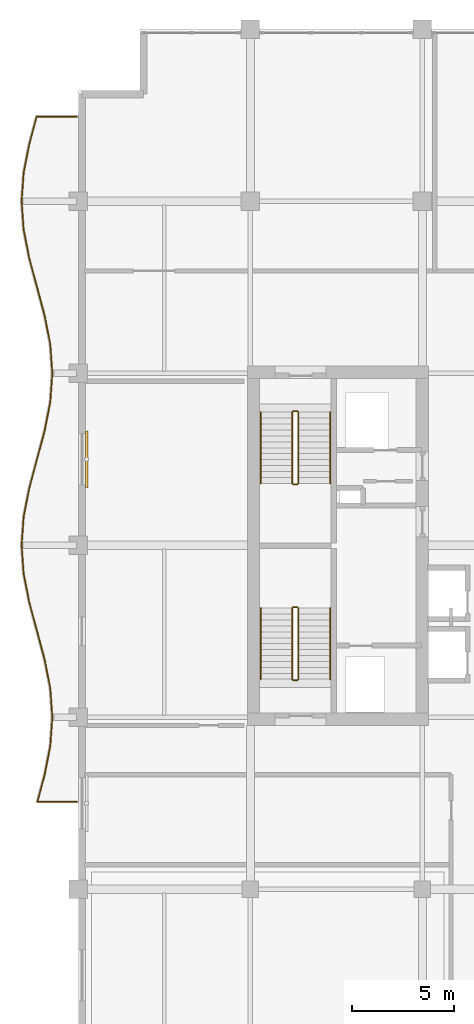
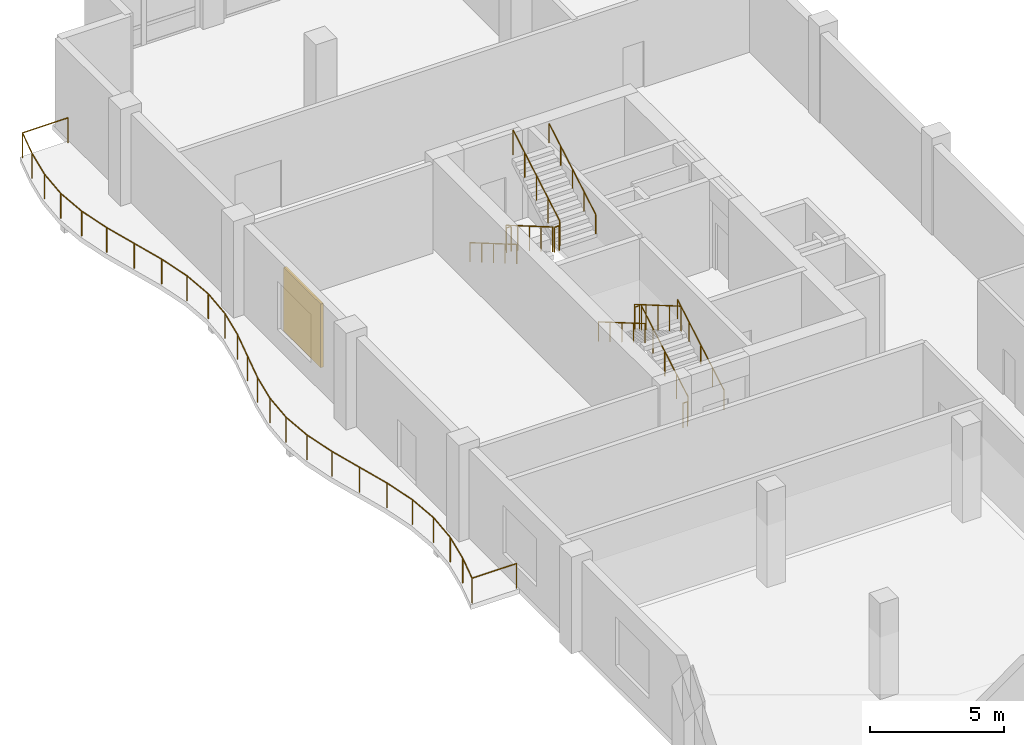
# One storey, part 15 of 15: 13 railings, 1 shading device.
"""IFC4 building model written with IfcOpenShell, lengths in metres."""

import ifcopenshell
import ifcopenshell.guid

model = None  # the IFC model being written
_history = None  # IfcOwnerHistory: only IFC2X3 demands one
_inside = {}  # id of a spatial element -> (the spatial element, [elements in it])
_under = {}  # id of a project, library or spatial element -> (it, [spatial elements below it])
_declared = {}  # id of a project -> (the project, [libraries it declares])
_typed = {}  # id of a type object -> (the type object, [elements of that type])
_made_of = {}  # id of a material, layer set ... -> (it, [elements and type objects made of it])


def new_model(schema):
    """Start an empty IFC model of exactly this schema.

    Asked for "IFC4X3", IfcOpenShell would pick the latest addendum, in which some entities
    have other attributes; the version numbers below select the first issue.
    IFC2X3 requires an IfcOwnerHistory on every rooted entity: one is made here for all.
    """
    global model, _history
    if schema == "IFC4X3":
        model = ifcopenshell.file(schema_version=(4, 3, 0, 0))
    else:
        model = ifcopenshell.file(schema=schema)
    _inside.clear()
    _under.clear()
    _declared.clear()
    _typed.clear()
    _made_of.clear()
    _history = None
    if model.schema == "IFC2X3":
        org = make("IfcOrganization", Name="unknown")
        user = make(
            "IfcPersonAndOrganization",
            ThePerson=make("IfcPerson", FamilyName="unknown"),
            TheOrganization=org,
        )
        app = make(
            "IfcApplication",
            ApplicationDeveloper=org,
            Version="unknown",
            ApplicationFullName="unknown",
            ApplicationIdentifier="unknown",
        )
        _history = make(
            "IfcOwnerHistory",
            OwningUser=user,
            OwningApplication=app,
            ChangeAction="ADDED",
            CreationDate=0,
        )
    return model


def make(cls, **values):
    """One entity of the class cls with the attributes given. An attribute that is None is left unset."""
    return model.create_entity(
        cls, **{name: value for name, value in values.items() if value is not None}
    )


def rooted(cls, **values):
    """An entity with a GlobalId (a new one), such as an element, a storey or a relation."""
    return make(cls, GlobalId=ifcopenshell.guid.new(), OwnerHistory=_history, **values)


def si_unit(unit_type, name, prefix=None):
    """IfcSIUnit, for example si_unit("LENGTHUNIT", "METRE", prefix="MILLI")."""
    return make("IfcSIUnit", UnitType=unit_type, Prefix=prefix, Name=name)


def assignment(units):
    """IfcUnitAssignment: the units of a project."""
    return None if units is None else make("IfcUnitAssignment", Units=units)


def point(xyz):
    """IfcCartesianPoint."""
    return None if xyz is None else make("IfcCartesianPoint", Coordinates=xyz)


def direction(xyz):
    """IfcDirection."""
    return None if xyz is None else make("IfcDirection", DirectionRatios=xyz)


def frame(location, z_axis=None, x_axis=None):
    """IfcAxis2Placement3D, a coordinate frame: its origin and axes. An axis left out is left unset."""
    return make(
        "IfcAxis2Placement3D",
        Location=point(location),
        Axis=direction(z_axis),
        RefDirection=direction(x_axis),
    )


def frame_2d(location, x_axis=None):
    """IfcAxis2Placement2D, a coordinate frame in the plane: its origin and x axis."""
    return make(
        "IfcAxis2Placement2D", Location=point(location), RefDirection=direction(x_axis)
    )


def origin():
    """The frame at (0, 0, 0) with its axes left unset."""
    return frame((0.0, 0.0, 0.0))


def origin_2d():
    """The frame at (0, 0) in the plane with its x axis left unset."""
    return frame_2d((0.0, 0.0))


def place(relative_to, where):
    """IfcLocalPlacement: puts the frame where relative to a parent placement (None: the world)."""
    return make(
        "IfcLocalPlacement", PlacementRelTo=relative_to, RelativePlacement=where
    )


def context(
    kind, dimensions, precision=None, world=None, true_north=None, identifier=None
):
    """IfcGeometricRepresentationContext, for example the 3D "Model" context."""
    return make(
        "IfcGeometricRepresentationContext",
        ContextIdentifier=identifier,
        ContextType=kind,
        CoordinateSpaceDimension=dimensions,
        Precision=precision,
        WorldCoordinateSystem=world,
        TrueNorth=true_north,
    )


def subcontext(parent, identifier, kind, view, scale=None):
    """IfcGeometricRepresentationSubContext, for example "Body" below "Model"."""
    return make(
        "IfcGeometricRepresentationSubContext",
        ContextIdentifier=identifier,
        ContextType=kind,
        ParentContext=parent,
        TargetScale=scale,
        TargetView=view,
    )


def project(units=None, contexts=None):
    """IfcProject with its units and contexts."""
    return rooted(
        "IfcProject",
        Name="project",
        RepresentationContexts=contexts,
        UnitsInContext=assignment(units),
    )


def spatial(cls, under=None, at=None, **own):
    """A site, building, storey or space (cls), placed at a placement, below another one or the project."""
    s = rooted(cls, ObjectPlacement=at, **own)
    if under is not None:
        _under.setdefault(under.id(), (under, []))[1].append(s)
    return s


def profile(cls, at=None, kind="AREA", **sizes):
    """A parametric profile (cls). Its sizes go by their IFC names, for example OverallWidth=200.0."""
    return make(cls, ProfileType=kind, Position=at, **sizes)


def rectangle(**sizes):
    """IfcRectangleProfileDef."""
    return profile("IfcRectangleProfileDef", **sizes)


def circle(**sizes):
    """IfcCircleProfileDef."""
    return profile("IfcCircleProfileDef", **sizes)


def extrude(swept, where, along, depth):
    """IfcExtrudedAreaSolid: the profile swept, set in the frame where, extruded along a direction by depth."""
    return make(
        "IfcExtrudedAreaSolid",
        SweptArea=swept,
        Position=where,
        ExtrudedDirection=direction(along),
        Depth=depth,
    )


def shape(context_of_items, identifier, shape_type, items):
    """IfcShapeRepresentation: the items that make up one representation, for example the "Body"."""
    return make(
        "IfcShapeRepresentation",
        ContextOfItems=context_of_items,
        RepresentationIdentifier=identifier,
        RepresentationType=shape_type,
        Items=items,
    )


def material(Name=None, Category=None):
    """IfcMaterial."""
    return make("IfcMaterial", Name=Name, Category=Category)


def layer(
    of_material, thickness, ventilated=None, Name=None, Category=None, Priority=None
):
    """IfcMaterialLayer: one layer of a wall or slab, of a material (None: an air gap)."""
    return make(
        "IfcMaterialLayer",
        Material=of_material,
        LayerThickness=thickness,
        IsVentilated=ventilated,
        Name=Name,
        Category=Category,
        Priority=Priority,
    )


def layer_set(layers, Name=None):
    """IfcMaterialLayerSet."""
    return make("IfcMaterialLayerSet", MaterialLayers=layers, LayerSetName=Name)


def made_of(thing, what):
    """Note that an element or type object is made of a material, layer set ...; save() writes the relation."""
    if what is not None:
        _made_of.setdefault(what.id(), (what, []))[1].append(thing)
    return thing


def type_object(cls, material=None, **own):
    """A type object (cls), such as IfcWallType, which elements share."""
    return made_of(rooted(cls, **own), material)


def element(
    cls,
    number,
    at=None,
    inside=None,
    cuts=None,
    type_object=None,
    material=None,
    context=None,
    identifier="Body",
    shape_type=None,
    held_by="IfcProductDefinitionShape",
    body=None,
    shapes=None,
    **own,
):
    """One element of the class cls, such as IfcWall. Its Tag is "e" and its number.

    at: its placement. inside: the storey or other place that contains it. cuts: it is an
    opening in that element (IfcRelVoidsElement). A single representation is given by context,
    identifier, shape_type and body (its items); several are given by shapes. held_by: the class
    of the entity that holds the representations. save() writes the other relations.
    """
    e = rooted(cls, Tag="e%d" % number, ObjectPlacement=at, **own)
    if body is not None:
        shapes = [shape(context, identifier, shape_type, body)]
    if shapes is not None:
        e.Representation = make(held_by, Representations=shapes)
    if inside is not None:
        _inside.setdefault(inside.id(), (inside, []))[1].append(e)
    if cuts is not None:
        rooted(
            "IfcRelVoidsElement", RelatingBuildingElement=cuts, RelatedOpeningElement=e
        )
    if type_object is not None:
        _typed.setdefault(type_object.id(), (type_object, []))[1].append(e)
    return made_of(e, material)


def aggregate(whole, parts):
    """IfcRelAggregates: a whole, such as a stair, and the parts it consists of."""
    return rooted("IfcRelAggregates", RelatingObject=whole, RelatedObjects=parts)


def save(model, path):
    """Write the relations noted so far, then the file.

    IfcRelAggregates (storeys below a building ...), IfcRelContainedInSpatialStructure (elements
    in a storey), IfcRelDefinesByType, IfcRelAssociatesMaterial and IfcRelDeclares: one each for
    every whole, place, type object, material and project.
    """
    for whole, parts in _under.values():
        aggregate(whole, parts)
    for where, things in _inside.values():
        rooted(
            "IfcRelContainedInSpatialStructure",
            RelatedElements=things,
            RelatingStructure=where,
        )
    for kind, things in _typed.values():
        rooted("IfcRelDefinesByType", RelatedObjects=things, RelatingType=kind)
    for what, things in _made_of.values():
        rooted("IfcRelAssociatesMaterial", RelatedObjects=things, RelatingMaterial=what)
    for by, libraries in _declared.values():
        rooted("IfcRelDeclares", RelatingContext=by, RelatedDefinitions=libraries)
    model.write(path)


model = new_model("IFC4")

# Units and contexts
model_context = context("Model", 3, precision=1e-05, world=origin(), true_north=direction((0.0, 1.0)))
body_context = subcontext(model_context, "Body", "Model", "MODEL_VIEW")
ifc_project = project(units=[si_unit("LENGTHUNIT", "METRE"), si_unit("AREAUNIT", "SQUARE_METRE"), si_unit("VOLUMEUNIT", "CUBIC_METRE"), si_unit("PLANEANGLEUNIT", "RADIAN"), si_unit("MASSUNIT", "GRAM", prefix="KILO")], contexts=[model_context])

# Site, building, storey
site_placement = place(None, origin())
site = spatial("IfcSite", under=ifc_project, at=site_placement, CompositionType="ELEMENT")
building_placement = place(site_placement, origin())
building = spatial("IfcBuilding", under=site, at=building_placement, Name="Koriwani Terraces Tower", CompositionType="ELEMENT")
storey_placement = place(building_placement, frame((0.0, 0.0, 290.39990234375)))
storey = spatial("IfcBuildingStorey", under=building, at=storey_placement, Name="L72", CompositionType="ELEMENT", Elevation=290.39990234375)

# Railings
ifc_material_1 = material(Name="Steel ASTM A572 Grade 50", Category="steel")
railing_type_1 = type_object("IfcRailingType", Name="GUARD_BALUSTRADE_1150", PredefinedType="BALUSTRADE", material=ifc_material_1)
railing_1_placement = place(storey_placement, frame((8.320068359375, 37.8798828125, 0.0)))
element("IfcRailing", 1, at=railing_1_placement, inside=storey, type_object=railing_type_1, Name="L72 Balcony Perimeter Safety Balustrade (W)", PredefinedType="BALUSTRADE", context=body_context, shape_type="SweptSolid", body=[
    extrude(circle(Radius=0.02392578125, at=origin_2d()), frame((0.0, 0.0, 1.1259765625), z_axis=(-1.0, 0.0, 0.0), x_axis=(0.0, -1.0, 0.0)), (0.0, 0.0, 1.0), 1.915771484375),
    extrude(circle(Radius=0.02392578125, at=origin_2d()), frame((-1.915771484375, 0.0, 1.1259765625), z_axis=(0.258654599752, 0.965969874285, 0.0), x_axis=(-0.965969874285, 0.258654599752, 0.0)), (0.0, 0.0, 1.0), 1.347900390625),
    extrude(circle(Radius=0.02392578125, at=origin_2d()), frame((-1.567138671875, 1.302001953125, 1.1259765625), z_axis=(0.192186246762, 0.981358469957, 0.0), x_axis=(-0.981358469957, 0.192186246762, 0.0)), (0.0, 0.0, 1.0), 1.434326171875),
    extrude(circle(Radius=0.02392578125, at=origin_2d()), frame((-1.29150390625, 2.70947265625, 1.1259765625), z_axis=(0.071639614309, 0.997430581876, 0.0), x_axis=(-0.997430581876, 0.071639614309, 0.0)), (0.0, 0.0, 1.0), 1.414306640625),
    extrude(circle(Radius=0.02392578125, at=origin_2d()), frame((-1.190185546875, 4.1201171875, 1.1259765625), z_axis=(-0.071639614309, 0.997430581876, 0.0), x_axis=(-0.997430581876, -0.071639614309, 0.0)), (0.0, 0.0, 1.0), 1.414306640625),
    extrude(circle(Radius=0.02392578125, at=origin_2d()), frame((-1.29150390625, 5.53076171875, 1.1259765625), z_axis=(-0.192186246762, 0.981358469957, 0.0), x_axis=(-0.981358469957, -0.192186246762, 0.0)), (0.0, 0.0, 1.0), 1.434326171875),
    extrude(circle(Radius=0.02392578125, at=origin_2d()), frame((-1.567138671875, 6.938232421875, 1.1259765625), z_axis=(-0.258731875344, 0.96594917914, 0.0), x_axis=(-0.96594917914, -0.258731875344, 0.0)), (0.0, 0.0, 1.0), 2.898681640625),
    extrude(circle(Radius=0.02392578125, at=origin_2d()), frame((-2.317138671875, 9.73828125, 1.1259765625), z_axis=(-0.19237547223, 0.981321393675, 0.0), x_axis=(-0.981321393675, -0.19237547223, 0.0)), (0.0, 0.0, 1.0), 1.4189453125),
    extrude(circle(Radius=0.02392578125, at=origin_2d()), frame((-2.590087890625, 11.130615234375, 1.1259765625), z_axis=(-0.07168297904, 0.997427466293, 0.0), x_axis=(-0.997427466293, -0.07168297904, 0.0)), (0.0, 0.0, 1.0), 1.39306640625),
    extrude(circle(Radius=0.02392578125, at=origin_2d()), frame((-2.68994140625, 12.52001953125, 1.1259765625), z_axis=(0.07168297904, 0.997427466293, 0.0), x_axis=(-0.997427466293, 0.07168297904, 0.0)), (0.0, 0.0, 1.0), 1.39306640625),
    extrude(circle(Radius=0.02392578125, at=origin_2d()), frame((-2.590087890625, 13.909423828125, 1.1259765625), z_axis=(0.192342993657, 0.981327760125, 0.0), x_axis=(-0.981327760125, 0.192342993657, 0.0)), (0.0, 0.0, 1.0), 1.419189453125),
    extrude(circle(Radius=0.02392578125, at=origin_2d()), frame((-2.317138671875, 15.302001953125, 1.1259765625), z_axis=(0.258731875344, 0.96594917914, 0.0), x_axis=(-0.96594917914, 0.258731875344, 0.0)), (0.0, 0.0, 1.0), 2.898681640625),
    extrude(circle(Radius=0.02392578125, at=origin_2d()), frame((-1.567138671875, 18.10205078125, 1.1259765625), z_axis=(0.192186246762, 0.981358469957, 0.0), x_axis=(-0.981358469957, 0.192186246762, 0.0)), (0.0, 0.0, 1.0), 1.434326171875),
    extrude(circle(Radius=0.02392578125, at=origin_2d()), frame((-1.29150390625, 19.509521484375, 1.1259765625), z_axis=(0.071639614309, 0.997430581876, 0.0), x_axis=(-0.997430581876, 0.071639614309, 0.0)), (0.0, 0.0, 1.0), 1.414306640625),
    extrude(circle(Radius=0.02392578125, at=origin_2d()), frame((-1.190185546875, 20.920166015625, 1.1259765625), z_axis=(-0.071639614309, 0.997430581876, 0.0), x_axis=(-0.997430581876, -0.071639614309, 0.0)), (0.0, 0.0, 1.0), 1.414306640625),
    extrude(circle(Radius=0.02392578125, at=origin_2d()), frame((-1.29150390625, 22.330810546875, 1.1259765625), z_axis=(-0.192218357442, 0.981352180954, 0.0), x_axis=(-0.981352180954, -0.192218357442, 0.0)), (0.0, 0.0, 1.0), 1.43408203125),
    extrude(circle(Radius=0.02392578125, at=origin_2d()), frame((-1.567138671875, 23.738037109375, 1.1259765625), z_axis=(-0.258710827923, 0.965954816498, 0.0), x_axis=(-0.965954816498, -0.258710827923, 0.0)), (0.0, 0.0, 1.0), 2.89892578125),
    extrude(circle(Radius=0.02392578125, at=origin_2d()), frame((-2.317138671875, 26.538330078125, 1.1259765625), z_axis=(-0.19237547223, 0.981321393675, 0.0), x_axis=(-0.981321393675, -0.19237547223, 0.0)), (0.0, 0.0, 1.0), 1.4189453125),
    extrude(circle(Radius=0.02392578125, at=origin_2d()), frame((-2.590087890625, 27.9306640625, 1.1259765625), z_axis=(-0.07168297904, 0.997427466293, 0.0), x_axis=(-0.997427466293, -0.07168297904, 0.0)), (0.0, 0.0, 1.0), 1.39306640625),
    extrude(circle(Radius=0.02392578125, at=origin_2d()), frame((-2.68994140625, 29.320068359375, 1.1259765625), z_axis=(0.07168297904, 0.997427466293, 0.0), x_axis=(-0.997427466293, 0.07168297904, 0.0)), (0.0, 0.0, 1.0), 1.39306640625),
    extrude(circle(Radius=0.02392578125, at=origin_2d()), frame((-2.590087890625, 30.70947265625, 1.1259765625), z_axis=(0.192342993657, 0.981327760125, 0.0), x_axis=(-0.981327760125, 0.192342993657, 0.0)), (0.0, 0.0, 1.0), 1.419189453125),
    extrude(circle(Radius=0.02392578125, at=origin_2d()), frame((-2.317138671875, 32.10205078125, 1.1259765625), z_axis=(0.25871553033, 0.965953557044, 0.0), x_axis=(-0.965953557044, 0.25871553033, 0.0)), (0.0, 0.0, 1.0), 1.38525390625),
    extrude(circle(Radius=0.02392578125, at=origin_2d()), frame((-1.958740234375, 33.440185546875, 1.1259765625), z_axis=(1.0, 0.0, 0.0), x_axis=(0.0, 1.0, 0.0)), (0.0, 0.0, 1.0), 1.958740234375),
    extrude(circle(Radius=0.02099609375, at=origin_2d()), origin(), (0.0, 0.0, 1.0), 1.101806640625),
    extrude(circle(Radius=0.02099609375, at=origin_2d()), frame((-1.915771484375, 0.0, 0.0)), (0.0, 0.0, 1.0), 1.101806640625),
    extrude(circle(Radius=0.02099609375, at=origin_2d()), frame((-1.567138671875, 1.302001953125, 0.0)), (0.0, 0.0, 1.0), 1.101806640625),
    extrude(circle(Radius=0.02099609375, at=origin_2d()), frame((-1.29150390625, 2.70947265625, 0.0)), (0.0, 0.0, 1.0), 1.101806640625),
    extrude(circle(Radius=0.02099609375, at=origin_2d()), frame((-1.190185546875, 4.1201171875, 0.0)), (0.0, 0.0, 1.0), 1.101806640625),
    extrude(circle(Radius=0.02099609375, at=origin_2d()), frame((-1.29150390625, 5.53076171875, 0.0)), (0.0, 0.0, 1.0), 1.101806640625),
    extrude(circle(Radius=0.02099609375, at=origin_2d()), frame((-1.567138671875, 6.938232421875, 0.0)), (0.0, 0.0, 1.0), 1.101806640625),
    extrude(circle(Radius=0.02099609375, at=origin_2d()), frame((-1.942138671875, 8.33837890625, 0.0)), (0.0, 0.0, 1.0), 1.101806640625),
    extrude(circle(Radius=0.02099609375, at=origin_2d()), frame((-2.317138671875, 9.73828125, 0.0)), (0.0, 0.0, 1.0), 1.101806640625),
    extrude(circle(Radius=0.02099609375, at=origin_2d()), frame((-2.590087890625, 11.130615234375, 0.0)), (0.0, 0.0, 1.0), 1.101806640625),
    extrude(circle(Radius=0.02099609375, at=origin_2d()), frame((-2.68994140625, 12.52001953125, 0.0)), (0.0, 0.0, 1.0), 1.101806640625),
    extrude(circle(Radius=0.02099609375, at=origin_2d()), frame((-2.590087890625, 13.909423828125, 0.0)), (0.0, 0.0, 1.0), 1.101806640625),
    extrude(circle(Radius=0.02099609375, at=origin_2d()), frame((-2.317138671875, 15.302001953125, 0.0)), (0.0, 0.0, 1.0), 1.101806640625),
    extrude(circle(Radius=0.02099609375, at=origin_2d()), frame((-1.942138671875, 16.7021484375, 0.0)), (0.0, 0.0, 1.0), 1.101806640625),
    extrude(circle(Radius=0.02099609375, at=origin_2d()), frame((-1.567138671875, 18.10205078125, 0.0)), (0.0, 0.0, 1.0), 1.101806640625),
    extrude(circle(Radius=0.02099609375, at=origin_2d()), frame((-1.29150390625, 19.509521484375, 0.0)), (0.0, 0.0, 1.0), 1.101806640625),
    extrude(circle(Radius=0.02099609375, at=origin_2d()), frame((-1.190185546875, 20.920166015625, 0.0)), (0.0, 0.0, 1.0), 1.101806640625),
    extrude(circle(Radius=0.02099609375, at=origin_2d()), frame((-1.29150390625, 22.330810546875, 0.0)), (0.0, 0.0, 1.0), 1.101806640625),
    extrude(circle(Radius=0.02099609375, at=origin_2d()), frame((-1.567138671875, 23.738037109375, 0.0)), (0.0, 0.0, 1.0), 1.101806640625),
    extrude(circle(Radius=0.02099609375, at=origin_2d()), frame((-1.942138671875, 25.13818359375, 0.0)), (0.0, 0.0, 1.0), 1.101806640625),
    extrude(circle(Radius=0.02099609375, at=origin_2d()), frame((-2.317138671875, 26.538330078125, 0.0)), (0.0, 0.0, 1.0), 1.101806640625),
    extrude(circle(Radius=0.02099609375, at=origin_2d()), frame((-2.590087890625, 27.9306640625, 0.0)), (0.0, 0.0, 1.0), 1.101806640625),
    extrude(circle(Radius=0.02099609375, at=origin_2d()), frame((-2.68994140625, 29.320068359375, 0.0)), (0.0, 0.0, 1.0), 1.101806640625),
    extrude(circle(Radius=0.02099609375, at=origin_2d()), frame((-2.590087890625, 30.70947265625, 0.0)), (0.0, 0.0, 1.0), 1.101806640625),
    extrude(circle(Radius=0.02099609375, at=origin_2d()), frame((-2.317138671875, 32.10205078125, 0.0)), (0.0, 0.0, 1.0), 1.101806640625),
    extrude(circle(Radius=0.02099609375, at=origin_2d()), frame((-1.958740234375, 33.440185546875, 0.0)), (0.0, 0.0, 1.0), 1.101806640625),
    extrude(circle(Radius=0.02099609375, at=origin_2d()), frame((0.0, 33.440185546875, 0.0)), (0.0, 0.0, 1.0), 1.101806640625),
])
railing_type_2 = type_object("IfcRailingType", Name="GUARD_STAIR_WELL_1120", PredefinedType="GUARDRAIL", material=ifc_material_1)
railing_2_placement = place(storey_placement, frame((19.14990234375, 43.85009765625, 0.16943359375)))
element("IfcRailing", 2, at=railing_2_placement, inside=storey, type_object=railing_type_2, Name="L72 ST-W1 stair guard 1", PredefinedType="GUARDRAIL", context=body_context, shape_type="SweptSolid", body=[
    extrude(circle(Radius=0.02392578125, at=origin_2d()), frame((0.0, 0.0, 1.1259765625), z_axis=(0.0, 0.863695377172, 0.504014181796), x_axis=(-1.0, 0.0, 0.0)), (0.0, 0.0, 1.0), 4.029296875),
    extrude(circle(Radius=0.02099609375, at=origin_2d()), origin(), (0.0, 0.0, 1.0), 1.101806640625),
    extrude(circle(Radius=0.02099609375, at=origin_2d()), frame((0.0, 0.8701171875, 0.5078125)), (0.0, 0.0, 1.0), 1.101806640625),
    extrude(circle(Radius=0.02099609375, at=origin_2d()), frame((0.0, 1.739990234375, 1.015380859375)), (0.0, 0.0, 1.0), 1.101806640625),
    extrude(circle(Radius=0.02099609375, at=origin_2d()), frame((0.0, 2.60986328125, 1.52294921875)), (0.0, 0.0, 1.0), 1.101806640625),
    extrude(circle(Radius=0.02099609375, at=origin_2d()), frame((0.0, 3.47998046875, 2.03076171875)), (0.0, 0.0, 1.0), 1.101806640625),
])
railing_3_placement = place(storey_placement, frame((19.10009765625, 47.3798828125, 2.2001953125)))
element("IfcRailing", 3, at=railing_3_placement, inside=storey, type_object=railing_type_2, Name="L72 ST-W1 stair guard 2", PredefinedType="GUARDRAIL", context=body_context, shape_type="SweptSolid", body=[
    extrude(circle(Radius=0.02392578125, at=origin_2d()), frame((0.0, 0.0, 1.1259765625), z_axis=(-1.0, 0.0, 0.0), x_axis=(0.0, -1.0, 0.0)), (0.0, 0.0, 1.0), 0.2001953125),
    extrude(circle(Radius=0.02099609375, at=origin_2d()), origin(), (0.0, 0.0, 1.0), 1.101806640625),
    extrude(circle(Radius=0.02099609375, at=origin_2d()), frame((-0.2001953125, 0.0, 0.0)), (0.0, 0.0, 1.0), 1.101806640625),
])
railing_4_placement = place(storey_placement, frame((18.85009765625, 47.330078125, 2.369384765625)))
element("IfcRailing", 4, at=railing_4_placement, inside=storey, type_object=railing_type_2, Name="L72 ST-W1 stair guard 3", PredefinedType="GUARDRAIL", context=body_context, shape_type="SweptSolid", body=[
    extrude(circle(Radius=0.02392578125, at=origin_2d()), frame((0.0, 0.0, 1.1259765625), z_axis=(0.0, -0.863695377172, 0.504014181796), x_axis=(1.0, 0.0, 0.0)), (0.0, 0.0, 1.0), 4.029296875),
    extrude(circle(Radius=0.02099609375, at=origin_2d()), origin(), (0.0, 0.0, 1.0), 1.101806640625),
    extrude(circle(Radius=0.02099609375, at=origin_2d()), frame((0.0, -0.8701171875, 0.5078125)), (0.0, 0.0, 1.0), 1.101806640625),
    extrude(circle(Radius=0.02099609375, at=origin_2d()), frame((0.0, -1.739990234375, 1.015380859375)), (0.0, 0.0, 1.0), 1.101806640625),
    extrude(circle(Radius=0.02099609375, at=origin_2d()), frame((0.0, -2.60986328125, 1.52294921875)), (0.0, 0.0, 1.0), 1.101806640625),
    extrude(circle(Radius=0.02099609375, at=origin_2d()), frame((0.0, -3.47998046875, 2.03076171875)), (0.0, 0.0, 1.0), 1.101806640625),
])
railing_5_placement = place(storey_placement, frame((19.10009765625, 43.800048828125, 0.0)))
element("IfcRailing", 5, at=railing_5_placement, inside=storey, type_object=railing_type_2, Name="L72 ST-W1 stair guard 4", PredefinedType="GUARDRAIL", context=body_context, shape_type="SweptSolid", body=[
    extrude(circle(Radius=0.02392578125, at=origin_2d()), frame((0.0, 0.0, 1.1259765625), z_axis=(-1.0, 0.0, 0.0), x_axis=(0.0, -1.0, 0.0)), (0.0, 0.0, 1.0), 0.2001953125),
    extrude(circle(Radius=0.02099609375, at=origin_2d()), origin(), (0.0, 0.0, 1.0), 1.101806640625),
    extrude(circle(Radius=0.02099609375, at=origin_2d()), frame((-0.2001953125, 0.0, 0.0)), (0.0, 0.0, 1.0), 1.101806640625),
])
railing_6_placement = place(storey_placement, frame((18.85009765625, 56.89990234375, 0.16943359375)))
element("IfcRailing", 6, at=railing_6_placement, inside=storey, type_object=railing_type_2, Name="L72 ST-W2 stair guard 1", PredefinedType="GUARDRAIL", context=body_context, shape_type="SweptSolid", body=[
    extrude(circle(Radius=0.02392578125, at=origin_2d()), frame((0.0, 0.0, 1.1259765625), z_axis=(0.0, -0.863695377172, 0.504014181796), x_axis=(1.0, 0.0, 0.0)), (0.0, 0.0, 1.0), 4.029296875),
    extrude(circle(Radius=0.02099609375, at=origin_2d()), origin(), (0.0, 0.0, 1.0), 1.101806640625),
    extrude(circle(Radius=0.02099609375, at=origin_2d()), frame((0.0, -0.8701171875, 0.5078125)), (0.0, 0.0, 1.0), 1.101806640625),
    extrude(circle(Radius=0.02099609375, at=origin_2d()), frame((0.0, -1.739990234375, 1.015380859375)), (0.0, 0.0, 1.0), 1.101806640625),
    extrude(circle(Radius=0.02099609375, at=origin_2d()), frame((0.0, -2.60986328125, 1.52294921875)), (0.0, 0.0, 1.0), 1.101806640625),
    extrude(circle(Radius=0.02099609375, at=origin_2d()), frame((0.0, -3.47998046875, 2.03076171875)), (0.0, 0.0, 1.0), 1.101806640625),
])
railing_7_placement = place(storey_placement, frame((18.89990234375, 53.3701171875, 2.2001953125)))
element("IfcRailing", 7, at=railing_7_placement, inside=storey, type_object=railing_type_2, Name="L72 ST-W2 stair guard 2", PredefinedType="GUARDRAIL", context=body_context, shape_type="SweptSolid", body=[
    extrude(circle(Radius=0.02392578125, at=origin_2d()), frame((0.0, 0.0, 1.1259765625), z_axis=(1.0, 0.0, 0.0), x_axis=(0.0, 1.0, 0.0)), (0.0, 0.0, 1.0), 0.2001953125),
    extrude(circle(Radius=0.02099609375, at=origin_2d()), origin(), (0.0, 0.0, 1.0), 1.101806640625),
    extrude(circle(Radius=0.02099609375, at=origin_2d()), frame((0.2001953125, 0.0, 0.0)), (0.0, 0.0, 1.0), 1.101806640625),
])
railing_8_placement = place(storey_placement, frame((19.14990234375, 53.419921875, 2.369384765625)))
element("IfcRailing", 8, at=railing_8_placement, inside=storey, type_object=railing_type_2, Name="L72 ST-W2 stair guard 3", PredefinedType="GUARDRAIL", context=body_context, shape_type="SweptSolid", body=[
    extrude(circle(Radius=0.02392578125, at=origin_2d()), frame((0.0, 0.0, 1.1259765625), z_axis=(0.0, 0.863695377172, 0.504014181796), x_axis=(-1.0, 0.0, 0.0)), (0.0, 0.0, 1.0), 4.029296875),
    extrude(circle(Radius=0.02099609375, at=origin_2d()), origin(), (0.0, 0.0, 1.0), 1.101806640625),
    extrude(circle(Radius=0.02099609375, at=origin_2d()), frame((0.0, 0.8701171875, 0.5078125)), (0.0, 0.0, 1.0), 1.101806640625),
    extrude(circle(Radius=0.02099609375, at=origin_2d()), frame((0.0, 1.739990234375, 1.015380859375)), (0.0, 0.0, 1.0), 1.101806640625),
    extrude(circle(Radius=0.02099609375, at=origin_2d()), frame((0.0, 2.60986328125, 1.52294921875)), (0.0, 0.0, 1.0), 1.101806640625),
    extrude(circle(Radius=0.02099609375, at=origin_2d()), frame((0.0, 3.47998046875, 2.03076171875)), (0.0, 0.0, 1.0), 1.101806640625),
])
railing_9_placement = place(storey_placement, frame((18.89990234375, 56.949951171875, 0.0)))
element("IfcRailing", 9, at=railing_9_placement, inside=storey, type_object=railing_type_2, Name="L72 ST-W2 stair guard 4", PredefinedType="GUARDRAIL", context=body_context, shape_type="SweptSolid", body=[
    extrude(circle(Radius=0.02392578125, at=origin_2d()), frame((0.0, 0.0, 1.1259765625), z_axis=(1.0, 0.0, 0.0), x_axis=(0.0, 1.0, 0.0)), (0.0, 0.0, 1.0), 0.2001953125),
    extrude(circle(Radius=0.02099609375, at=origin_2d()), origin(), (0.0, 0.0, 1.0), 1.101806640625),
    extrude(circle(Radius=0.02099609375, at=origin_2d()), frame((0.2001953125, 0.0, 0.0)), (0.0, 0.0, 1.0), 1.101806640625),
])
railing_type_3 = type_object("IfcRailingType", Name="HANDRAIL_STAIR_920", PredefinedType="HANDRAIL", material=ifc_material_1)
railing_10_placement = place(storey_placement, frame((20.699951171875, 43.85009765625, 0.16943359375)))
element("IfcRailing", 10, at=railing_10_placement, inside=storey, type_object=railing_type_3, Name="L72 ST-W1 stair handrail 1", PredefinedType="HANDRAIL", context=body_context, shape_type="SweptSolid", body=[
    extrude(circle(Radius=0.02392578125, at=origin_2d()), frame((0.0, 0.0, 0.8759765625), z_axis=(0.0, 0.863695377172, 0.504014181796), x_axis=(-1.0, 0.0, 0.0)), (0.0, 0.0, 1.0), 4.029296875),
    extrude(circle(Radius=0.02099609375, at=origin_2d()), origin(), (0.0, 0.0, 1.0), 0.851806640625),
    extrude(circle(Radius=0.02099609375, at=origin_2d()), frame((0.0, 0.8701171875, 0.5078125)), (0.0, 0.0, 1.0), 0.851806640625),
    extrude(circle(Radius=0.02099609375, at=origin_2d()), frame((0.0, 1.739990234375, 1.015380859375)), (0.0, 0.0, 1.0), 0.851806640625),
    extrude(circle(Radius=0.02099609375, at=origin_2d()), frame((0.0, 2.60986328125, 1.52294921875)), (0.0, 0.0, 1.0), 0.851806640625),
    extrude(circle(Radius=0.02099609375, at=origin_2d()), frame((0.0, 3.47998046875, 2.03076171875)), (0.0, 0.0, 1.0), 0.851806640625),
])
for number, where, name in (
    (11, (17.300048828125, 47.330078125, 2.369384765625), "L72 ST-W1 stair handrail 2"),
    (12, (17.300048828125, 56.89990234375, 0.16943359375), "L72 ST-W2 stair handrail 1"),
):
    element("IfcRailing", number, at=place(storey_placement, frame(where)), inside=storey, type_object=railing_type_3, Name=name, PredefinedType="HANDRAIL", context=body_context, shape_type="SweptSolid", body=[
        extrude(circle(Radius=0.02392578125, at=origin_2d()), frame((0.0, 0.0, 0.8759765625), z_axis=(0.0, -0.863695377172, 0.504014181796), x_axis=(1.0, 0.0, 0.0)), (0.0, 0.0, 1.0), 4.029296875),
        extrude(circle(Radius=0.02099609375, at=origin_2d()), origin(), (0.0, 0.0, 1.0), 0.851806640625),
        extrude(circle(Radius=0.02099609375, at=origin_2d()), frame((0.0, -0.8701171875, 0.5078125)), (0.0, 0.0, 1.0), 0.851806640625),
        extrude(circle(Radius=0.02099609375, at=origin_2d()), frame((0.0, -1.739990234375, 1.015380859375)), (0.0, 0.0, 1.0), 0.851806640625),
        extrude(circle(Radius=0.02099609375, at=origin_2d()), frame((0.0, -2.60986328125, 1.52294921875)), (0.0, 0.0, 1.0), 0.851806640625),
        extrude(circle(Radius=0.02099609375, at=origin_2d()), frame((0.0, -3.47998046875, 2.03076171875)), (0.0, 0.0, 1.0), 0.851806640625),
    ])
railing_11_placement = place(storey_placement, frame((20.699951171875, 53.419921875, 2.369384765625)))
element("IfcRailing", 13, at=railing_11_placement, inside=storey, type_object=railing_type_3, Name="L72 ST-W2 stair handrail 2", PredefinedType="HANDRAIL", context=body_context, shape_type="SweptSolid", body=[
    extrude(circle(Radius=0.02392578125, at=origin_2d()), frame((0.0, 0.0, 0.8759765625), z_axis=(0.0, 0.863695377172, 0.504014181796), x_axis=(-1.0, 0.0, 0.0)), (0.0, 0.0, 1.0), 4.029296875),
    extrude(circle(Radius=0.02099609375, at=origin_2d()), origin(), (0.0, 0.0, 1.0), 0.851806640625),
    extrude(circle(Radius=0.02099609375, at=origin_2d()), frame((0.0, 0.8701171875, 0.5078125)), (0.0, 0.0, 1.0), 0.851806640625),
    extrude(circle(Radius=0.02099609375, at=origin_2d()), frame((0.0, 1.739990234375, 1.015380859375)), (0.0, 0.0, 1.0), 0.851806640625),
    extrude(circle(Radius=0.02099609375, at=origin_2d()), frame((0.0, 2.60986328125, 1.52294921875)), (0.0, 0.0, 1.0), 0.851806640625),
    extrude(circle(Radius=0.02099609375, at=origin_2d()), frame((0.0, 3.47998046875, 2.03076171875)), (0.0, 0.0, 1.0), 0.851806640625),
])

# Shading device
ifc_material_2 = material(Name="Extruded Terracotta Clay", Category="masonry")
ifc_layer = layer(ifc_material_2, 0.1201171875, Name="Extruded Terracotta Clay")
ifc_layer_set = layer_set([ifc_layer], Name="Extruded Terracotta Clay")
shading_device_type = type_object("IfcShadingDeviceType", Name="TERRACOTTA_BAGUETTE_SCREEN_2800", PredefinedType="USERDEFINED", material=ifc_layer_set)
shading_device_placement = place(storey_placement, frame((8.804931640625, 54.60009765625, 0.5751953125), z_axis=(0.0, 0.0, 1.0), x_axis=(0.0, 1.0, 0.0)))
element("IfcShadingDevice", 14, at=shading_device_placement, inside=storey, type_object=shading_device_type, Name="L72 Extruded Terracotta Baguette Screen (W-15)", ObjectType="BAGUETTE", PredefinedType="USERDEFINED", context=body_context, shape_type="SweptSolid", body=[
    extrude(rectangle(XDim=2.760009765625, YDim=0.1201171875, at=origin_2d()), origin(), (0.0, 0.0, 1.0), 2.89990234375),
])

save(model, "model.ifc")
